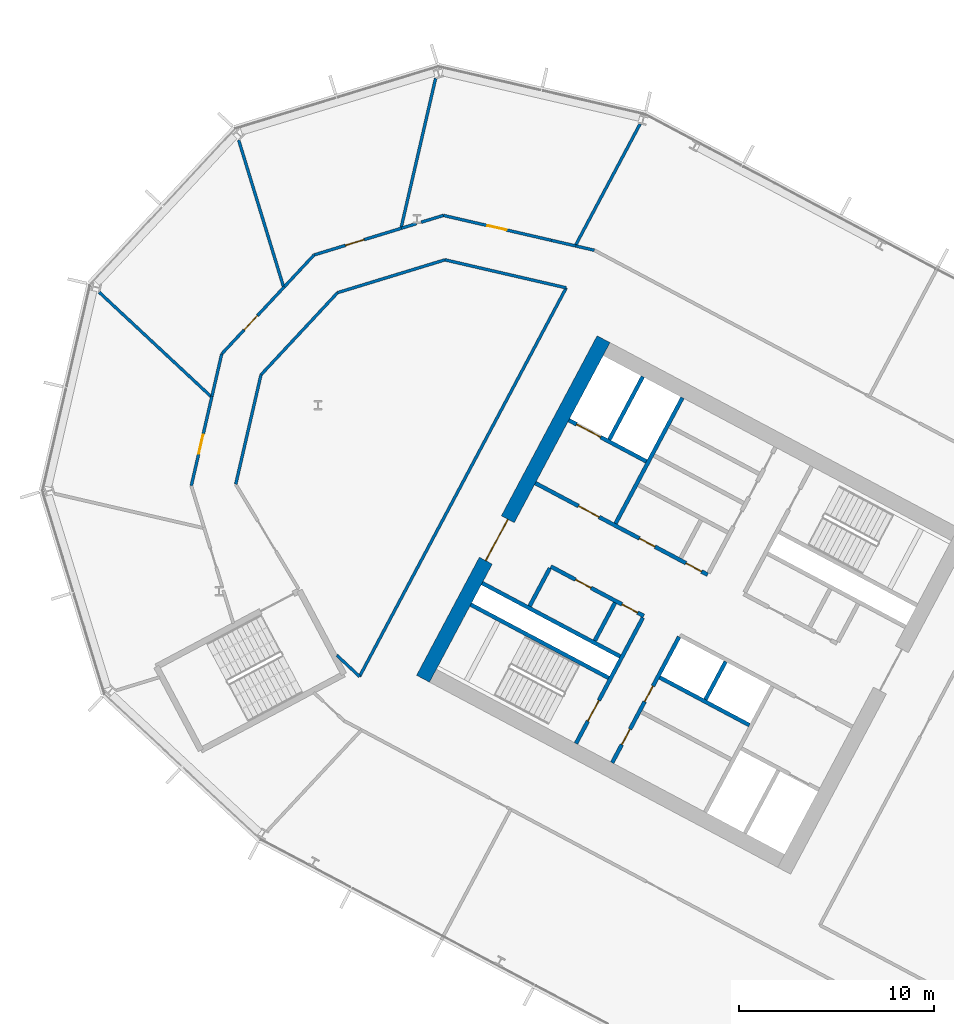
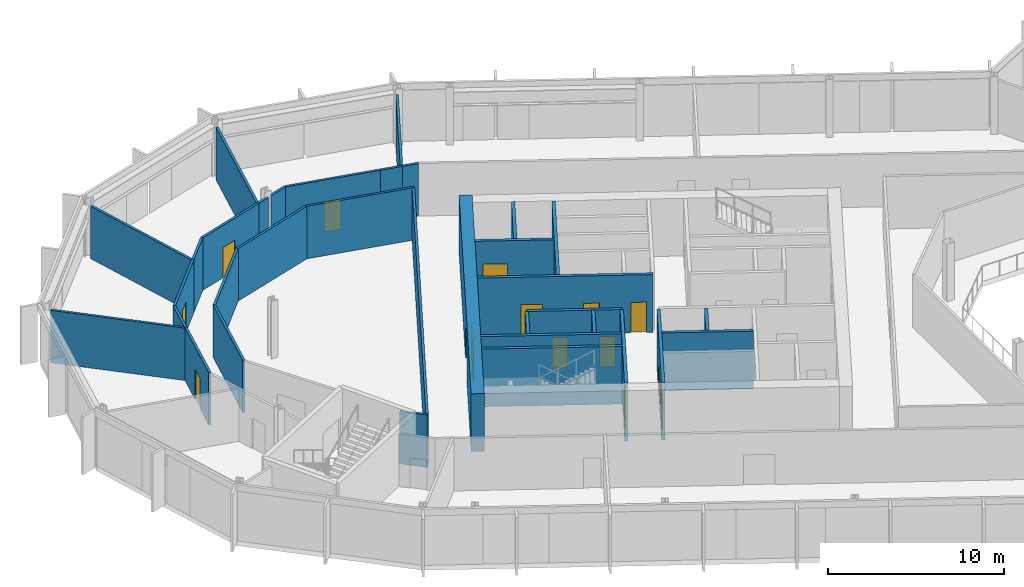
# One storey, part 14 of 28: 34 walls, 14 doors, 14 openings.
"""IFC4 building model written with IfcOpenShell, lengths in metres."""

from ifc_helpers import new_model, si_unit, direction, frame, frame_2d, origin, place, context, subcontext, project, spatial, rectangle, extrude, material, layer, layer_set, type_object, element, fill, save


model = new_model("IFC4")

# Units and contexts
model_context = context("Model", 3, precision=1e-05, world=origin(), true_north=direction((0.0, 1.0)))
body_context = subcontext(model_context, "Body", "Model", "MODEL_VIEW")
ifc_project = project(units=[si_unit("LENGTHUNIT", "METRE"), si_unit("AREAUNIT", "SQUARE_METRE"), si_unit("VOLUMEUNIT", "CUBIC_METRE"), si_unit("PLANEANGLEUNIT", "RADIAN"), si_unit("MASSUNIT", "GRAM", prefix="KILO")], contexts=[model_context])

# Site, building, storey
site_placement = place(None, origin())
site = spatial("IfcSite", under=ifc_project, at=site_placement, CompositionType="ELEMENT")
building_placement = place(site_placement, origin())
building = spatial("IfcBuilding", under=site, at=building_placement, Name="Cormorant Relay Tower", CompositionType="ELEMENT")
storey_placement = place(building_placement, frame((0.0, 0.0, 146.199951171875)))
storey = spatial("IfcBuildingStorey", under=building, at=storey_placement, Name="L30", CompositionType="ELEMENT", Elevation=146.199951171875)

# Walls
ifc_material_1 = material(Name="Concrete 40 MPa", Category="concrete")
ifc_layer_1 = layer(ifc_material_1, 0.199951171875)
ifc_layer_set_1 = layer_set([ifc_layer_1], Name="Core internal wall 200")
wall_type_1 = type_object("IfcWallType", Name="Core internal wall 200", PredefinedType="SOLIDWALL", material=ifc_layer_set_1)
wall_1_placement = place(storey_placement, frame((-25.744140625, 11.64990234375, 0.0), z_axis=(0.0, 0.0, 1.0), x_axis=(-0.469487830541, -0.882938942948, 0.0)))
element("IfcWall", 1, at=wall_1_placement, inside=storey, type_object=wall_type_1, Name="L30 core A shaft and room wall", PredefinedType="SOLIDWALL", context=body_context, shape_type="SweptSolid", body=[
    extrude(rectangle(XDim=2.2001953125, YDim=0.199951171875, at=frame_2d((1.10009765625, 0.0))), origin(), (0.0, 0.0, 1.0), 4.0),
])
wall_2_placement = place(storey_placement, frame((-31.41259765625, 14.663818359375, 0.0), z_axis=(0.0, 0.0, 1.0), x_axis=(-0.469533832133, -0.882914480843, 0.0)))
element("IfcWall", 2, at=wall_2_placement, inside=storey, type_object=wall_type_1, Name="L30 core A shaft and room wall", PredefinedType="SOLIDWALL", context=body_context, shape_type="SweptSolid", body=[
    extrude(rectangle(XDim=2.199951171875, YDim=0.199951171875, at=frame_2d((1.10009765625, 0.0))), origin(), (0.0, 0.0, 1.0), 4.0),
])

# Wall, openings, doors
ifc_material_2 = material(Name="Concrete 50 MPa", Category="concrete")
ifc_layer_2 = layer(ifc_material_2, 0.199951171875)
ifc_layer_set_2 = layer_set([ifc_layer_2], Name="Core shaft wall 200")
wall_type_2 = type_object("IfcWallType", Name="Core shaft wall 200", PredefinedType="SHEAR", material=ifc_layer_set_2)
wall_3_placement = place(storey_placement, frame((-28.128173828125, 12.91748046875, 0.0), z_axis=(0.0, 0.0, 1.0), x_axis=(-0.469454336211, -0.882956752176, 0.0)))
wall_3 = element("IfcWall", 3, at=wall_3_placement, inside=storey, type_object=wall_type_2, Name="L30 core A shaft wall", PredefinedType="SHEAR", context=body_context, shape_type="SweptSolid", body=[
    extrude(rectangle(XDim=7.300048828125, YDim=0.199951171875, at=frame_2d((3.64990234375, 0.0))), origin(), (0.0, 0.0, 1.0), 4.0),
])
opening_1_placement = place(wall_3_placement, frame((2.85009765625, 0.0, 0.0)))
opening_1 = element("IfcOpeningElement", 4, at=opening_1_placement, cuts=wall_3, Name="Opening CDD-196", PredefinedType="OPENING", context=body_context, shape_type="SweptSolid", body=[
    extrude(rectangle(XDim=0.89990234375, YDim=2.10009765625, at=frame_2d((0.449951171875, 1.050048828125))), frame((0.0, 0.10986328125, 0.0), z_axis=(0.0, -1.0, 0.0), x_axis=(1.0, 0.0, 0.0)), (0.0, 0.0, 1.0), 0.219970703125),
])
opening_2_placement = place(wall_3_placement, frame((5.35009765625, 0.0, 0.0)))
opening_2 = element("IfcOpeningElement", 5, at=opening_2_placement, cuts=wall_3, Name="Opening CDD-197", PredefinedType="OPENING", context=body_context, shape_type="SweptSolid", body=[
    extrude(rectangle(XDim=0.89990234375, YDim=2.10009765625, at=frame_2d((0.449951171875, 1.050048828125))), frame((0.0, 0.10986328125, 0.0), z_axis=(0.0, -1.0, 0.0), x_axis=(1.0, 0.0, 0.0)), (0.0, 0.0, 1.0), 0.219970703125),
])
ifc_material_3 = material(Name="Steel fire door", Category="steel")
door_type_1 = type_object("IfcDoorType", Name="Core room door 900x2100", OperationType="SINGLE_SWING_LEFT", PredefinedType="DOOR", material=ifc_material_3)
door_1_placement = place(opening_1_placement, origin())
door_1 = element("IfcDoor", 6, at=door_1_placement, inside=storey, type_object=door_type_1, Name="Core room door 900x2100", OperationType="SINGLE_SWING_LEFT", OverallHeight=2.10009765625, OverallWidth=0.89990234375, PredefinedType="DOOR", context=body_context, shape_type="SweptSolid", body=[
    extrude(rectangle(XDim=0.89990234375, YDim=2.10009765625, at=frame_2d((0.449951171875, 1.050048828125))), frame((0.0, 0.02490234375, 0.0), z_axis=(0.0, -1.0, 0.0), x_axis=(1.0, 0.0, 0.0)), (0.0, 0.0, 1.0), 0.050048828125),
])
fill(opening_1, door_1)
door_2_placement = place(opening_2_placement, origin())
door_2 = element("IfcDoor", 7, at=door_2_placement, inside=storey, type_object=door_type_1, Name="Core room door 900x2100", OperationType="SINGLE_SWING_LEFT", OverallHeight=2.10009765625, OverallWidth=0.89990234375, PredefinedType="DOOR", context=body_context, shape_type="SweptSolid", body=[
    extrude(rectangle(XDim=0.89990234375, YDim=2.10009765625, at=frame_2d((0.449951171875, 1.050048828125))), frame((0.0, 0.02490234375, 0.0), z_axis=(0.0, -1.0, 0.0), x_axis=(1.0, 0.0, 0.0)), (0.0, 0.0, 1.0), 0.050048828125),
])
fill(opening_2, door_2)

# Wall, opening, door
wall_4_placement = place(storey_placement, frame((-29.982421875, 13.9033203125, 0.0), z_axis=(0.0, 0.0, 1.0), x_axis=(-0.469454336211, -0.882956752176, 0.0)))
wall_4 = element("IfcWall", 8, at=wall_4_placement, inside=storey, type_object=wall_type_2, Name="L30 core A shaft wall", PredefinedType="SHEAR", context=body_context, shape_type="SweptSolid", body=[
    extrude(rectangle(XDim=7.300048828125, YDim=0.199951171875, at=frame_2d((3.64990234375, 0.0))), origin(), (0.0, 0.0, 1.0), 4.0),
])
opening_3_placement = place(wall_4_placement, frame((4.800048828125, 0.0, 0.0)))
opening_3 = element("IfcOpeningElement", 9, at=opening_3_placement, cuts=wall_4, Name="Opening CDB-035", PredefinedType="OPENING", context=body_context, shape_type="SweptSolid", body=[
    extrude(rectangle(XDim=1.199951171875, YDim=2.10009765625, at=frame_2d((0.60009765625, 1.050048828125))), frame((0.0, 0.10986328125, 0.0), z_axis=(0.0, -1.0, 0.0), x_axis=(1.0, 0.0, 0.0)), (0.0, 0.0, 1.0), 0.219970703125),
])
ifc_material_4 = material(Name="Steel fire door", Category="steel")
door_type_2 = type_object("IfcDoorType", Name="Core stair door 1200x2100", OperationType="SINGLE_SWING_LEFT", PredefinedType="DOOR", material=ifc_material_4)
door_3_placement = place(opening_3_placement, frame((1.199951171875, 0.0, 0.0), z_axis=(0.0, 0.0, 1.0), x_axis=(-1.0, 0.0, 0.0)))
door_3 = element("IfcDoor", 10, at=door_3_placement, inside=storey, type_object=door_type_2, Name="Core stair door 1200x2100", OperationType="SINGLE_SWING_RIGHT", OverallHeight=2.10009765625, OverallWidth=1.199951171875, PredefinedType="DOOR", context=body_context, shape_type="SweptSolid", body=[
    extrude(rectangle(XDim=1.199951171875, YDim=2.10009765625, at=frame_2d((0.60009765625, 1.050048828125))), frame((0.0, 0.02490234375, 0.0), z_axis=(0.0, -1.0, 0.0), x_axis=(1.0, 0.0, 0.0)), (0.0, 0.0, 1.0), 0.050048828125),
])
fill(opening_3, door_3)

# Walls
wall_5_placement = place(storey_placement, frame((-27.955322265625, 25.170654296875, 0.0), z_axis=(0.0, 0.0, 1.0), x_axis=(-0.469480409012, -0.88294288918, 0.0)))
element("IfcWall", 11, at=wall_5_placement, inside=storey, type_object=wall_type_2, Name="L30 core A shaft wall", PredefinedType="SHEAR", context=body_context, shape_type="SweptSolid", body=[
    extrude(rectangle(XDim=7.300048828125, YDim=0.199951171875, at=frame_2d((3.64990234375, 0.0))), origin(), (0.0, 0.0, 1.0), 4.0),
])
wall_6_placement = place(storey_placement, frame((-34.750244140625, 16.4384765625, 0.0), z_axis=(0.0, 0.0, 1.0), x_axis=(-0.469401318492, -0.882984938828, 0.0)))
element("IfcWall", 12, at=wall_6_placement, inside=storey, type_object=wall_type_2, Name="L30 core A shaft wall", PredefinedType="SHEAR", context=body_context, shape_type="SweptSolid", body=[
    extrude(rectangle(XDim=2.199951171875, YDim=0.199951171875, at=frame_2d((1.10009765625, 0.0))), origin(), (0.0, 0.0, 1.0), 4.0),
])
wall_7_placement = place(storey_placement, frame((-29.986083984375, 26.250244140625, 0.0), z_axis=(0.0, 0.0, 1.0), x_axis=(-0.469494272526, -0.882935517501, 0.0)))
element("IfcWall", 13, at=wall_7_placement, inside=storey, type_object=wall_type_2, Name="L30 core A shaft wall", PredefinedType="SHEAR", context=body_context, shape_type="SweptSolid", body=[
    extrude(rectangle(XDim=3.64990234375, YDim=0.199951171875, at=frame_2d((1.824951171875, 0.0))), origin(), (0.0, 0.0, 1.0), 4.0),
])

# Wall, opening, door
wall_8_placement = place(storey_placement, frame((-29.80419921875, 21.906494140625, 0.0), z_axis=(0.0, 0.0, 1.0), x_axis=(-0.882960433586, 0.469447412093, 0.0)))
wall_8 = element("IfcWall", 14, at=wall_8_placement, inside=storey, type_object=wall_type_2, Name="L30 core A shaft wall", PredefinedType="SHEAR", context=body_context, shape_type="SweptSolid", body=[
    extrude(rectangle(XDim=4.5, YDim=0.199951171875, at=frame_2d((2.25, 0.0))), origin(), (0.0, 0.0, 1.0), 4.0),
])
opening_4_placement = place(wall_8_placement, frame((2.64990234375, 0.0, 0.0)))
opening_4 = element("IfcOpeningElement", 15, at=opening_4_placement, cuts=wall_8, Name="Opening LD3-013", PredefinedType="OPENING", context=body_context, shape_type="SweptSolid", body=[
    extrude(rectangle(XDim=1.39990234375, YDim=2.39990234375, at=frame_2d((0.699951171875, 1.199951171875))), frame((0.0, 0.10986328125, 0.0), z_axis=(0.0, -1.0, 0.0), x_axis=(1.0, 0.0, 0.0)), (0.0, 0.0, 1.0), 0.219970703125),
])
ifc_material_5 = material(Name="Stainless steel 316", Category="steel")
door_type_3 = type_object("IfcDoorType", Name="Lift landing door 1400x2400", OperationType="DOUBLE_DOOR_SLIDING", PredefinedType="DOOR", material=ifc_material_5)
door_4_placement = place(opening_4_placement, origin())
door_4 = element("IfcDoor", 16, at=door_4_placement, inside=storey, type_object=door_type_3, Name="SV1 landing door", OperationType="DOUBLE_DOOR_SLIDING", OverallHeight=2.39990234375, OverallWidth=1.39990234375, PredefinedType="DOOR", context=body_context, shape_type="SweptSolid", body=[
    extrude(rectangle(XDim=1.39990234375, YDim=2.39990234375, at=frame_2d((0.699951171875, 1.199951171875))), frame((0.0, 0.02490234375, 0.0), z_axis=(0.0, -1.0, 0.0), x_axis=(1.0, 0.0, 0.0)), (0.0, 0.0, 1.0), 0.050048828125),
])
fill(opening_4, door_4)

# Wall, openings, doors
wall_9_placement = place(storey_placement, frame((-26.66162109375, 16.1015625, 0.0), z_axis=(0.0, 0.0, 1.0), x_axis=(-0.882940221191, 0.469485426614, 0.0)))
wall_9 = element("IfcWall", 17, at=wall_9_placement, inside=storey, type_object=wall_type_2, Name="L30 core A shaft wall", PredefinedType="SHEAR", context=body_context, shape_type="SweptSolid", body=[
    extrude(rectangle(XDim=10.0, YDim=0.199951171875, at=frame_2d((5.0, 0.0))), origin(), (0.0, 0.0, 1.0), 4.0),
])
opening_5_placement = place(wall_9_placement, frame((6.300048828125, 0.0, 0.0)))
opening_5 = element("IfcOpeningElement", 18, at=opening_5_placement, cuts=wall_9, Name="Opening CDC-026", PredefinedType="OPENING", context=body_context, shape_type="SweptSolid", body=[
    extrude(rectangle(XDim=1.199951171875, YDim=2.10009765625, at=frame_2d((0.60009765625, 1.050048828125))), frame((0.0, 0.10986328125, 0.0), z_axis=(0.0, -1.0, 0.0), x_axis=(1.0, 0.0, 0.0)), (0.0, 0.0, 1.0), 0.219970703125),
])
opening_6_placement = place(wall_9_placement, frame((0.360107421875, 0.0, 0.0)))
opening_6 = element("IfcOpeningElement", 19, at=opening_6_placement, cuts=wall_9, Name="Opening CDD-170", PredefinedType="OPENING", context=body_context, shape_type="SweptSolid", body=[
    extrude(rectangle(XDim=0.89990234375, YDim=2.10009765625, at=frame_2d((0.449951171875, 1.050048828125))), frame((0.0, 0.10986328125, 0.0), z_axis=(0.0, -1.0, 0.0), x_axis=(1.0, 0.0, 0.0)), (0.0, 0.0, 1.0), 0.219970703125),
])
opening_7_placement = place(wall_9_placement, frame((3.06005859375, 0.0, 0.0)))
opening_7 = element("IfcOpeningElement", 20, at=opening_7_placement, cuts=wall_9, Name="Opening CDD-171", PredefinedType="OPENING", context=body_context, shape_type="SweptSolid", body=[
    extrude(rectangle(XDim=0.89990234375, YDim=2.10009765625, at=frame_2d((0.449951171875, 1.050048828125))), frame((0.0, 0.10986328125, 0.0), z_axis=(0.0, -1.0, 0.0), x_axis=(1.0, 0.0, 0.0)), (0.0, 0.0, 1.0), 0.219970703125),
])
ifc_material_6 = material(Name="Steel fire door", Category="steel")
door_type_4 = type_object("IfcDoorType", Name="Core lobby door 1200x2100", OperationType="SINGLE_SWING_LEFT", PredefinedType="DOOR", material=ifc_material_6)
door_5_placement = place(opening_5_placement, origin())
door_5 = element("IfcDoor", 21, at=door_5_placement, inside=storey, type_object=door_type_4, Name="Core lobby door 1200x2100", OperationType="SINGLE_SWING_LEFT", OverallHeight=2.10009765625, OverallWidth=1.199951171875, PredefinedType="DOOR", context=body_context, shape_type="SweptSolid", body=[
    extrude(rectangle(XDim=1.199951171875, YDim=2.10009765625, at=frame_2d((0.60009765625, 1.050048828125))), frame((0.0, 0.02490234375, 0.0), z_axis=(0.0, -1.0, 0.0), x_axis=(1.0, 0.0, 0.0)), (0.0, 0.0, 1.0), 0.050048828125),
])
fill(opening_5, door_5)
door_6_placement = place(opening_6_placement, origin())
door_6 = element("IfcDoor", 22, at=door_6_placement, inside=storey, type_object=door_type_1, Name="Core room door 900x2100", OperationType="SINGLE_SWING_LEFT", OverallHeight=2.10009765625, OverallWidth=0.89990234375, PredefinedType="DOOR", context=body_context, shape_type="SweptSolid", body=[
    extrude(rectangle(XDim=0.89990234375, YDim=2.10009765625, at=frame_2d((0.449951171875, 1.050048828125))), frame((0.0, 0.02490234375, 0.0), z_axis=(0.0, -1.0, 0.0), x_axis=(1.0, 0.0, 0.0)), (0.0, 0.0, 1.0), 0.050048828125),
])
fill(opening_6, door_6)
door_7_placement = place(opening_7_placement, origin())
door_7 = element("IfcDoor", 23, at=door_7_placement, inside=storey, type_object=door_type_1, Name="Core room door 900x2100", OperationType="SINGLE_SWING_LEFT", OverallHeight=2.10009765625, OverallWidth=0.89990234375, PredefinedType="DOOR", context=body_context, shape_type="SweptSolid", body=[
    extrude(rectangle(XDim=0.89990234375, YDim=2.10009765625, at=frame_2d((0.449951171875, 1.050048828125))), frame((0.0, 0.02490234375, 0.0), z_axis=(0.0, -1.0, 0.0), x_axis=(1.0, 0.0, 0.0)), (0.0, 0.0, 1.0), 0.050048828125),
])
fill(opening_7, door_7)

wall_10_placement = place(storey_placement, frame((-29.935302734375, 13.991455078125, 0.0), z_axis=(0.0, 0.0, 1.0), x_axis=(-0.882952937579, 0.469461510692, 0.0)))
wall_10 = element("IfcWall", 24, at=wall_10_placement, inside=storey, type_object=wall_type_2, Name="L30 core A shaft wall", PredefinedType="SHEAR", context=body_context, shape_type="SweptSolid", body=[
    extrude(rectangle(XDim=5.400146484375, YDim=0.199951171875, at=frame_2d((2.7001953125, 0.0))), origin(), (0.0, 0.0, 1.0), 4.0),
])
opening_8_placement = place(wall_10_placement, frame((0.360107421875, 0.0, 0.0)))
opening_8 = element("IfcOpeningElement", 25, at=opening_8_placement, cuts=wall_10, Name="Opening CDD-166", PredefinedType="OPENING", context=body_context, shape_type="SweptSolid", body=[
    extrude(rectangle(XDim=0.89990234375, YDim=2.10009765625, at=frame_2d((0.449951171875, 1.050048828125))), frame((0.0, 0.10986328125, 0.0), z_axis=(0.0, -1.0, 0.0), x_axis=(1.0, 0.0, 0.0)), (0.0, 0.0, 1.0), 0.219970703125),
])
opening_9_placement = place(wall_10_placement, frame((3.06005859375, 0.0, 0.0)))
opening_9 = element("IfcOpeningElement", 26, at=opening_9_placement, cuts=wall_10, Name="Opening CDD-167", PredefinedType="OPENING", context=body_context, shape_type="SweptSolid", body=[
    extrude(rectangle(XDim=0.89990234375, YDim=2.10009765625, at=frame_2d((0.449951171875, 1.050048828125))), frame((0.0, 0.10986328125, 0.0), z_axis=(0.0, -1.0, 0.0), x_axis=(1.0, 0.0, 0.0)), (0.0, 0.0, 1.0), 0.219970703125),
])
door_8_placement = place(opening_8_placement, origin())
door_8 = element("IfcDoor", 27, at=door_8_placement, inside=storey, type_object=door_type_1, Name="Core room door 900x2100", OperationType="SINGLE_SWING_LEFT", OverallHeight=2.10009765625, OverallWidth=0.89990234375, PredefinedType="DOOR", context=body_context, shape_type="SweptSolid", body=[
    extrude(rectangle(XDim=0.89990234375, YDim=2.10009765625, at=frame_2d((0.449951171875, 1.050048828125))), frame((0.0, 0.02490234375, 0.0), z_axis=(0.0, -1.0, 0.0), x_axis=(1.0, 0.0, 0.0)), (0.0, 0.0, 1.0), 0.050048828125),
])
fill(opening_8, door_8)
door_9_placement = place(opening_9_placement, origin())
door_9 = element("IfcDoor", 28, at=door_9_placement, inside=storey, type_object=door_type_1, Name="Core room door 900x2100", OperationType="SINGLE_SWING_LEFT", OverallHeight=2.10009765625, OverallWidth=0.89990234375, PredefinedType="DOOR", context=body_context, shape_type="SweptSolid", body=[
    extrude(rectangle(XDim=0.89990234375, YDim=2.10009765625, at=frame_2d((0.449951171875, 1.050048828125))), frame((0.0, 0.02490234375, 0.0), z_axis=(0.0, -1.0, 0.0), x_axis=(1.0, 0.0, 0.0)), (0.0, 0.0, 1.0), 0.050048828125),
])
fill(opening_9, door_9)

# Walls
wall_11_placement = place(storey_placement, frame((-24.5283203125, 8.3984375, 0.0), z_axis=(0.0, 0.0, 1.0), x_axis=(-0.882953967957, 0.469459572775, 0.0)))
element("IfcWall", 29, at=wall_11_placement, inside=storey, type_object=wall_type_2, Name="L30 core A shaft wall", PredefinedType="SHEAR", context=body_context, shape_type="SweptSolid", body=[
    extrude(rectangle(XDim=5.199951171875, YDim=0.199951171875, at=frame_2d((2.60009765625, 0.0))), origin(), (0.0, 0.0, 1.0), 4.0),
])
for number, where, z_axis, x_axis, name in (
    (30, (-31.150390625, 11.91943359375, 0.0), (0.0, 0.0, 1.0), (-0.882940221191, 0.469485426614, 0.0), "L30 core A shaft wall"),
    (31, (-31.7373046875, 10.815673828125, 0.0), (0.0, 0.0, 1.0), (-0.882940221191, 0.469485426614, 0.0), "L30 core A shaft wall"),
):
    element("IfcWall", number, at=place(storey_placement, frame(where, z_axis=z_axis, x_axis=x_axis)), inside=storey, type_object=wall_type_2, Name=name, PredefinedType="SHEAR", context=body_context, shape_type="SweptSolid", body=[
        extrude(rectangle(XDim=8.0, YDim=0.199951171875, at=frame_2d((4.0, 0.0))), origin(), (0.0, 0.0, 1.0), 4.0),
    ])

# Wall, opening, door
ifc_material_7 = material(Name="Concrete 60 MPa", Category="concrete")
ifc_layer_3 = layer(ifc_material_7, 0.75)
ifc_layer_set_3 = layer_set([ifc_layer_3], Name="Core wall 750")
wall_type_3 = type_object("IfcWallType", Name="Core wall 750", PredefinedType="SHEAR", material=ifc_layer_set_3)
wall_12_placement = place(storey_placement, frame((-31.995849609375, 28.16845703125, 0.0), z_axis=(0.0, 0.0, 1.0), x_axis=(-0.469479580143, -0.882943329908, 0.0)))
wall_12 = element("IfcWall", 32, at=wall_12_placement, inside=storey, type_object=wall_type_3, Name="L30 core A wall", PredefinedType="SHEAR", context=body_context, shape_type="SweptSolid", body=[
    extrude(rectangle(XDim=19.699951171875, YDim=0.75, at=frame_2d((9.85009765625, 0.0))), origin(), (0.0, 0.0, 1.0), 4.0),
])
opening_10_placement = place(wall_12_placement, frame((10.449951171875, 0.0, 0.0)))
opening_10 = element("IfcOpeningElement", 33, at=opening_10_placement, cuts=wall_12, Name="Opening CDA-027", PredefinedType="OPENING", context=body_context, shape_type="SweptSolid", body=[
    extrude(rectangle(XDim=2.39990234375, YDim=2.39990234375, at=frame_2d((1.199951171875, 1.199951171875))), frame((0.0, 0.385009765625, 0.0), z_axis=(0.0, -1.0, 0.0), x_axis=(1.0, 0.0, 0.0)), (0.0, 0.0, 1.0), 0.77001953125),
])
ifc_material_8 = material(Name="Steel fire door", Category="steel")
door_type_5 = type_object("IfcDoorType", Name="Core lobby door 2400x2400", OperationType="DOUBLE_DOOR_SINGLE_SWING", PredefinedType="DOOR", material=ifc_material_8)
door_10_placement = place(opening_10_placement, origin())
door_10 = element("IfcDoor", 34, at=door_10_placement, inside=storey, type_object=door_type_5, Name="Core lobby door 2400x2400", OperationType="DOUBLE_DOOR_SINGLE_SWING", OverallHeight=2.39990234375, OverallWidth=2.39990234375, PredefinedType="DOOR", context=body_context, shape_type="SweptSolid", body=[
    extrude(rectangle(XDim=2.39990234375, YDim=2.39990234375, at=frame_2d((1.199951171875, 1.199951171875))), frame((0.0, 0.02490234375, 0.0), z_axis=(0.0, -1.0, 0.0), x_axis=(1.0, 0.0, 0.0)), (0.0, 0.0, 1.0), 0.050048828125),
])
fill(opening_10, door_10)

ifc_material_9 = material(Name="Gypsum board fire partition")
ifc_layer_4 = layer(ifc_material_9, 0.14990234375)
ifc_layer_set_4 = layer_set([ifc_layer_4], Name="Corridor partition 150 EI 60")
wall_type_4 = type_object("IfcWallType", Name="Corridor partition 150 EI 60", PredefinedType="PARTITIONING", material=ifc_layer_set_4)
wall_13_placement = place(storey_placement, frame((-52.055908203125, 25.24609375, 0.0), z_axis=(0.0, 0.0, 1.0), x_axis=(-0.224961765576, -0.97436759184, 0.0)))
wall_13 = element("IfcWall", 35, at=wall_13_placement, inside=storey, type_object=wall_type_4, Name="wall/L30/part/004", PredefinedType="PARTITIONING", context=body_context, shape_type="SweptSolid", body=[
    extrude(rectangle(XDim=4.707763671875, YDim=0.14990234375, at=frame_2d((2.35400390625, 0.0))), origin(), (0.0, 0.0, 1.0), 3.64013671875),
])
opening_11_placement = place(wall_13_placement, frame((2.02392578125, 0.0, 0.0)))
opening_11 = element("IfcOpeningElement", 36, at=opening_11_placement, cuts=wall_13, Name="Opening DS-011", PredefinedType="OPENING", context=body_context, shape_type="SweptSolid", body=[
    extrude(rectangle(XDim=1.0, YDim=2.10009765625, at=frame_2d((0.5, 1.050048828125))), frame((0.0, 0.0849609375, 0.0), z_axis=(0.0, -1.0, 0.0), x_axis=(1.0, 0.0, 0.0)), (0.0, 0.0, 1.0), 0.169921875),
])
ifc_material_10 = material(Name="Timber door leaf", Category="wood")
door_type_6 = type_object("IfcDoorType", Name="Suite door 1000x2100", OperationType="SINGLE_SWING_LEFT", PredefinedType="DOOR", material=ifc_material_10)
door_11_placement = place(opening_11_placement, frame((1.0, 0.0, 0.0), z_axis=(0.0, 0.0, 1.0), x_axis=(-1.0, 0.0, 0.0)))
door_11 = element("IfcDoor", 37, at=door_11_placement, inside=storey, type_object=door_type_6, Name="door/L30/014", OperationType="SINGLE_SWING_RIGHT", OverallHeight=2.10009765625, OverallWidth=1.0, PredefinedType="DOOR", context=body_context, shape_type="SweptSolid", body=[
    extrude(rectangle(XDim=1.0, YDim=2.10009765625, at=frame_2d((0.5, 1.050048828125))), frame((0.0, 0.02490234375, 0.0), z_axis=(0.0, -1.0, 0.0), x_axis=(1.0, 0.0, 0.0)), (0.0, 0.0, 1.0), 0.050048828125),
])
fill(opening_11, door_11)

wall_14_placement = place(storey_placement, frame((-48.344970703125, 30.85595703125, 0.0), z_axis=(0.0, 0.0, 1.0), x_axis=(-0.682044743799, -0.731310445335, 0.0)))
wall_14 = element("IfcWall", 38, at=wall_14_placement, inside=storey, type_object=wall_type_4, Name="wall/L30/part/008", PredefinedType="PARTITIONING", context=body_context, shape_type="SweptSolid", body=[
    extrude(rectangle(XDim=4.707763671875, YDim=0.14990234375, at=frame_2d((2.35400390625, 0.0))), origin(), (0.0, 0.0, 1.0), 3.64013671875),
])
opening_12_placement = place(wall_14_placement, frame((2.02392578125, 0.0, 0.0)))
opening_12 = element("IfcOpeningElement", 39, at=opening_12_placement, cuts=wall_14, Name="Opening DS-010", PredefinedType="OPENING", context=body_context, shape_type="SweptSolid", body=[
    extrude(rectangle(XDim=1.0, YDim=2.10009765625, at=frame_2d((0.5, 1.050048828125))), frame((0.0, 0.0849609375, 0.0), z_axis=(0.0, -1.0, 0.0), x_axis=(1.0, 0.0, 0.0)), (0.0, 0.0, 1.0), 0.169921875),
])
door_12_placement = place(opening_12_placement, frame((1.0, 0.0, 0.0), z_axis=(0.0, 0.0, 1.0), x_axis=(-1.0, 0.0, 0.0)))
door_12 = element("IfcDoor", 40, at=door_12_placement, inside=storey, type_object=door_type_6, Name="door/L30/013", OperationType="SINGLE_SWING_RIGHT", OverallHeight=2.10009765625, OverallWidth=1.0, PredefinedType="DOOR", context=body_context, shape_type="SweptSolid", body=[
    extrude(rectangle(XDim=1.0, YDim=2.10009765625, at=frame_2d((0.5, 1.050048828125))), frame((0.0, 0.02490234375, 0.0), z_axis=(0.0, -1.0, 0.0), x_axis=(1.0, 0.0, 0.0)), (0.0, 0.0, 1.0), 0.050048828125),
])
fill(opening_12, door_12)

# Wall
wall_15_placement = place(storey_placement, frame((-51.555908203125, 27.4130859375, 0.0), z_axis=(0.0, 0.0, 1.0), x_axis=(-0.225019992363, -0.974354146621, 0.0)))
element("IfcWall", 41, at=wall_15_placement, inside=storey, type_object=wall_type_4, Name="wall/L30/part/009", PredefinedType="PARTITIONING", context=body_context, shape_type="SweptSolid", body=[
    extrude(rectangle(XDim=2.221923828125, YDim=0.14990234375, at=frame_2d((1.11083984375, 0.0))), origin(), (0.0, 0.0, 1.0), 3.64013671875),
])

# Wall, opening, door
wall_16_placement = place(storey_placement, frame((-42.325927734375, 33.85791015625, 0.0), z_axis=(0.0, 0.0, 1.0), x_axis=(-0.956351168554, -0.292219852858, 0.0)))
wall_16 = element("IfcWall", 42, at=wall_16_placement, inside=storey, type_object=wall_type_4, Name="wall/L30/part/013", PredefinedType="PARTITIONING", context=body_context, shape_type="SweptSolid", body=[
    extrude(rectangle(XDim=4.708740234375, YDim=0.14990234375, at=frame_2d((2.3544921875, 0.0))), origin(), (0.0, 0.0, 1.0), 3.64013671875),
])
opening_13_placement = place(wall_16_placement, frame((2.02490234375, 0.0, 0.0)))
opening_13 = element("IfcOpeningElement", 43, at=opening_13_placement, cuts=wall_16, Name="Opening DS-009", PredefinedType="OPENING", context=body_context, shape_type="SweptSolid", body=[
    extrude(rectangle(XDim=1.0, YDim=2.10009765625, at=frame_2d((0.5, 1.050048828125))), frame((0.0, 0.0849609375, 0.0), z_axis=(0.0, -1.0, 0.0), x_axis=(1.0, 0.0, 0.0)), (0.0, 0.0, 1.0), 0.169921875),
])
door_13_placement = place(opening_13_placement, frame((1.0, 0.0, 0.0), z_axis=(0.0, 0.0, 1.0), x_axis=(-1.0, 0.0, 0.0)))
door_13 = element("IfcDoor", 44, at=door_13_placement, inside=storey, type_object=door_type_6, Name="door/L30/012", OperationType="SINGLE_SWING_RIGHT", OverallHeight=2.10009765625, OverallWidth=1.0, PredefinedType="DOOR", context=body_context, shape_type="SweptSolid", body=[
    extrude(rectangle(XDim=1.0, YDim=2.10009765625, at=frame_2d((0.5, 1.050048828125))), frame((0.0, 0.02490234375, 0.0), z_axis=(0.0, -1.0, 0.0), x_axis=(1.0, 0.0, 0.0)), (0.0, 0.0, 1.0), 0.050048828125),
])
fill(opening_13, door_13)

# Walls
wall_17_placement = place(storey_placement, frame((-46.8291015625, 32.48193359375, 0.0), z_axis=(0.0, 0.0, 1.0), x_axis=(-0.681891349178, -0.731453476249, 0.0)))
element("IfcWall", 45, at=wall_17_placement, inside=storey, type_object=wall_type_4, Name="wall/L30/part/014", PredefinedType="PARTITIONING", context=body_context, shape_type="SweptSolid", body=[
    extrude(rectangle(XDim=2.2216796875, YDim=0.14990234375, at=frame_2d((1.11083984375, 0.0))), origin(), (0.0, 0.0, 1.0), 3.64013671875),
])
wall_18_placement = place(storey_placement, frame((-50.839111328125, 20.738037109375, 0.0), z_axis=(0.0, 0.0, 1.0), x_axis=(0.224943182107, 0.974371882201, 0.0)))
element("IfcWall", 46, at=wall_18_placement, inside=storey, type_object=wall_type_4, Name="wall/L30/part/016", PredefinedType="PARTITIONING", context=body_context, shape_type="SweptSolid", body=[
    extrude(rectangle(XDim=5.75341796875, YDim=0.14990234375, at=frame_2d((2.876708984375, 0.0))), origin(), (0.0, 0.0, 1.0), 3.64013671875),
])
wall_19_placement = place(storey_placement, frame((-49.544921875, 26.343994140625, 0.0), z_axis=(0.0, 0.0, 1.0), x_axis=(0.681973388481, 0.731376987199, 0.0)))
element("IfcWall", 47, at=wall_19_placement, inside=storey, type_object=wall_type_4, Name="wall/L30/part/017", PredefinedType="PARTITIONING", context=body_context, shape_type="SweptSolid", body=[
    extrude(rectangle(XDim=5.752197265625, YDim=0.14990234375, at=frame_2d((2.8759765625, 0.0))), origin(), (0.0, 0.0, 1.0), 3.64013671875),
])
wall_20_placement = place(storey_placement, frame((-45.6220703125, 30.551025390625, 0.0), z_axis=(0.0, 0.0, 1.0), x_axis=(0.956315986812, 0.292334967747, 0.0)))
element("IfcWall", 48, at=wall_20_placement, inside=storey, type_object=wall_type_4, Name="wall/L30/part/018", PredefinedType="PARTITIONING", context=body_context, shape_type="SweptSolid", body=[
    extrude(rectangle(XDim=5.753173828125, YDim=0.14990234375, at=frame_2d((2.87646484375, 0.0))), origin(), (0.0, 0.0, 1.0), 3.64013671875),
])
wall_21_placement = place(storey_placement, frame((-40.1201171875, 32.23291015625, 0.0), z_axis=(0.0, 0.0, 1.0), x_axis=(0.97436665742, -0.224965812754, 0.0)))
element("IfcWall", 49, at=wall_21_placement, inside=storey, type_object=wall_type_4, Name="wall/L30/part/019", PredefinedType="PARTITIONING", context=body_context, shape_type="SweptSolid", body=[
    extrude(rectangle(XDim=6.37353515625, YDim=0.14990234375, at=frame_2d((3.186767578125, 0.0))), origin(), (0.0, 0.0, 1.0), 3.64013671875),
])
wall_22_placement = place(storey_placement, frame((-33.909912109375, 30.799072265625, 0.0), z_axis=(0.0, 0.0, 1.0), x_axis=(-0.469481348016, -0.88294238989, 0.0)))
element("IfcWall", 50, at=wall_22_placement, inside=storey, type_object=wall_type_4, Name="wall/L30/part/020", PredefinedType="PARTITIONING", context=body_context, shape_type="SweptSolid", body=[
    extrude(rectangle(XDim=22.548583984375, YDim=0.14990234375, at=frame_2d((11.2744140625, 0.0))), origin(), (0.0, 0.0, 1.0), 3.64013671875),
])

# Wall, opening, door
wall_23_placement = place(storey_placement, frame((-34.677001953125, 33.23388671875, 0.0), z_axis=(0.0, 0.0, 1.0), x_axis=(-0.974367234575, 0.224963312978, 0.0)))
wall_23 = element("IfcWall", 51, at=wall_23_placement, inside=storey, type_object=wall_type_4, Name="wall/L30/part/026", PredefinedType="PARTITIONING", context=body_context, shape_type="SweptSolid", body=[
    extrude(rectangle(XDim=5.668212890625, YDim=0.14990234375, at=frame_2d((2.833984375, 0.0))), origin(), (0.0, 0.0, 1.0), 3.64013671875),
])
opening_14_placement = place(wall_23_placement, frame((2.35009765625, 0.0, 0.0)))
opening_14 = element("IfcOpeningElement", 52, at=opening_14_placement, cuts=wall_23, Name="Opening DS-008", PredefinedType="OPENING", context=body_context, shape_type="SweptSolid", body=[
    extrude(rectangle(XDim=1.0, YDim=2.10009765625, at=frame_2d((0.5, 1.050048828125))), frame((0.0, 0.0849609375, 0.0), z_axis=(0.0, -1.0, 0.0), x_axis=(1.0, 0.0, 0.0)), (0.0, 0.0, 1.0), 0.169921875),
])
door_14_placement = place(opening_14_placement, frame((1.0, 0.0, 0.0), z_axis=(0.0, 0.0, 1.0), x_axis=(-1.0, 0.0, 0.0)))
door_14 = element("IfcDoor", 53, at=door_14_placement, inside=storey, type_object=door_type_6, Name="door/L30/011", OperationType="SINGLE_SWING_RIGHT", OverallHeight=2.10009765625, OverallWidth=1.0, PredefinedType="DOOR", context=body_context, shape_type="SweptSolid", body=[
    extrude(rectangle(XDim=1.0, YDim=2.10009765625, at=frame_2d((0.5, 1.050048828125))), frame((0.0, 0.02490234375, 0.0), z_axis=(0.0, -1.0, 0.0), x_axis=(1.0, 0.0, 0.0)), (0.0, 0.0, 1.0), 0.050048828125),
])
fill(opening_14, door_14)

# Walls
wall_24_placement = place(storey_placement, frame((-40.199951171875, 34.509033203125, 0.0), z_axis=(0.0, 0.0, 1.0), x_axis=(-0.956177669283, -0.29278706386, 0.0)))
element("IfcWall", 54, at=wall_24_placement, inside=storey, type_object=wall_type_4, Name="wall/L30/part/027", PredefinedType="PARTITIONING", context=body_context, shape_type="SweptSolid", body=[
    extrude(rectangle(XDim=1.18896484375, YDim=0.14990234375, at=frame_2d((0.594482421875, 0.0))), origin(), (0.0, 0.0, 1.0), 3.64013671875),
])
wall_25_placement = place(storey_placement, frame((-41.58203125, 34.0869140625, 0.0), z_axis=(0.0, 0.0, 1.0), x_axis=(-0.956187735772, -0.292754186919, 0.0)))
element("IfcWall", 55, at=wall_25_placement, inside=storey, type_object=wall_type_4, Name="wall/L30/part/028", PredefinedType="PARTITIONING", context=body_context, shape_type="SweptSolid", body=[
    extrude(rectangle(XDim=0.798828125, YDim=0.14990234375, at=frame_2d((0.3994140625, 0.0))), origin(), (0.0, 0.0, 1.0), 3.64013671875),
])
wall_26_placement = place(storey_placement, frame((-34.677001953125, 33.23388671875, 0.0), z_axis=(0.0, 0.0, 1.0), x_axis=(0.974222435733, -0.22558955143, 0.0)))
element("IfcWall", 56, at=wall_26_placement, inside=storey, type_object=wall_type_4, Name="wall/L30/part/029", PredefinedType="PARTITIONING", context=body_context, shape_type="SweptSolid", body=[
    extrude(rectangle(XDim=1.29443359375, YDim=0.14990234375, at=frame_2d((0.647216796875, 0.0))), origin(), (0.0, 0.0, 1.0), 3.64013671875),
])
wall_27_placement = place(storey_placement, frame((-32.469970703125, 32.72412109375, 0.0), z_axis=(0.0, 0.0, 1.0), x_axis=(-0.974513968147, 0.224326828281, 0.0)))
element("IfcWall", 57, at=wall_27_placement, inside=storey, type_object=wall_type_4, Name="wall/L30/part/031", PredefinedType="PARTITIONING", context=body_context, shape_type="SweptSolid", body=[
    extrude(rectangle(XDim=0.970703125, YDim=0.14990234375, at=frame_2d((0.4853515625, 0.0))), origin(), (0.0, 0.0, 1.0), 3.64013671875),
])
ifc_material_11 = material(Name="Gypsum board partition")
ifc_layer_5 = layer(ifc_material_11, 0.14990234375)
ifc_layer_set_5 = layer_set([ifc_layer_5], Name="Tenant partition 150")
wall_type_5 = type_object("IfcWallType", Name="Tenant partition 150", PredefinedType="PARTITIONING", material=ifc_layer_set_5)
wall_28_placement = place(storey_placement, frame((-57.841064453125, 30.580078125, 0.0), z_axis=(0.0, 0.0, 1.0), x_axis=(0.731373012185, -0.681977651428, 0.0)))
element("IfcWall", 58, at=wall_28_placement, inside=storey, type_object=wall_type_5, Name="wall/L30/part/002", PredefinedType="PARTITIONING", context=body_context, shape_type="SweptSolid", body=[
    extrude(rectangle(XDim=7.893310546875, YDim=0.14990234375, at=frame_2d((3.94677734375, 0.0))), origin(), (0.0, 0.0, 1.0), 3.64013671875),
])
wall_29_placement = place(storey_placement, frame((-50.68798828125, 38.365966796875, 0.0), z_axis=(0.0, 0.0, 1.0), x_axis=(0.292463739097, -0.956276613388, 0.0)))
element("IfcWall", 59, at=wall_29_placement, inside=storey, type_object=wall_type_5, Name="wall/L30/part/010", PredefinedType="PARTITIONING", context=body_context, shape_type="SweptSolid", body=[
    extrude(rectangle(XDim=7.891845703125, YDim=0.14990234375, at=frame_2d((3.94580078125, 0.0))), origin(), (0.0, 0.0, 1.0), 3.64013671875),
])
wall_30_placement = place(storey_placement, frame((-44.49609375, 10.889892578125, 0.0), z_axis=(0.0, 0.0, 1.0), x_axis=(-0.731080698145, 0.682291003018, 0.0)))
element("IfcWall", 60, at=wall_30_placement, inside=storey, type_object=wall_type_5, Name="wall/L30/part/021", PredefinedType="PARTITIONING", context=body_context, shape_type="SweptSolid", body=[
    extrude(rectangle(XDim=1.59619140625, YDim=0.14990234375, at=frame_2d((0.798095703125, 0.0))), origin(), (0.0, 0.0, 1.0), 3.64013671875),
])
wall_31_placement = place(storey_placement, frame((-40.59912109375, 41.533935546875, 0.0), z_axis=(0.0, 0.0, 1.0), x_axis=(-0.225013130649, -0.974355731258, 0.0)))
element("IfcWall", 61, at=wall_31_placement, inside=storey, type_object=wall_type_5, Name="wall/L30/part/025", PredefinedType="PARTITIONING", context=body_context, shape_type="SweptSolid", body=[
    extrude(rectangle(XDim=7.892333984375, YDim=0.14990234375, at=frame_2d((3.9462890625, 0.0))), origin(), (0.0, 0.0, 1.0), 3.64013671875),
])
wall_32_placement = place(storey_placement, frame((-30.12890625, 39.18798828125, 0.0), z_axis=(0.0, 0.0, 1.0), x_axis=(-0.469506376509, -0.882929081194, 0.0)))
element("IfcWall", 62, at=wall_32_placement, inside=storey, type_object=wall_type_5, Name="wall/L30/part/030", PredefinedType="PARTITIONING", context=body_context, shape_type="SweptSolid", body=[
    extrude(rectangle(XDim=7.065185546875, YDim=0.14990234375, at=frame_2d((3.53271484375, 0.0))), origin(), (0.0, 0.0, 1.0), 3.64013671875),
])

save(model, "model.ifc")
